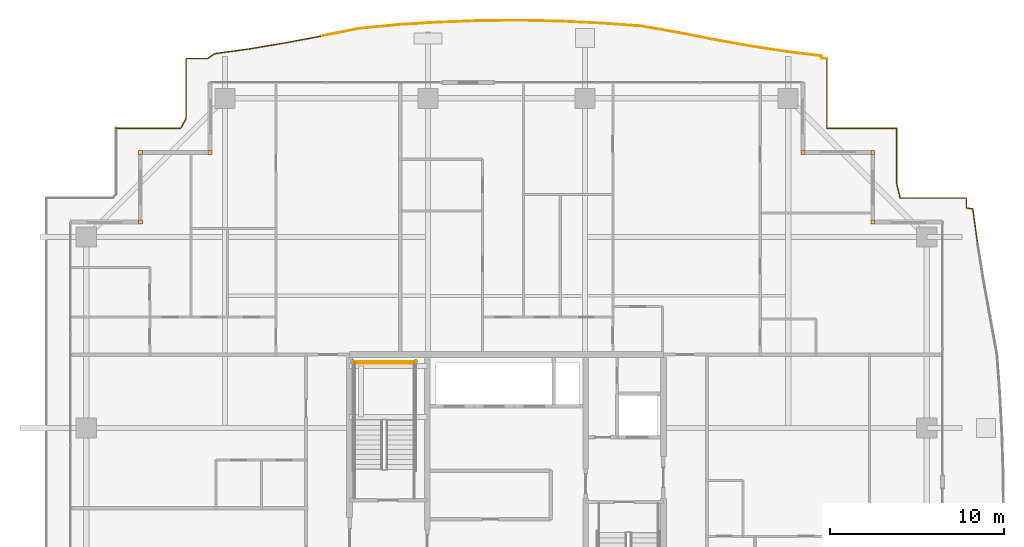
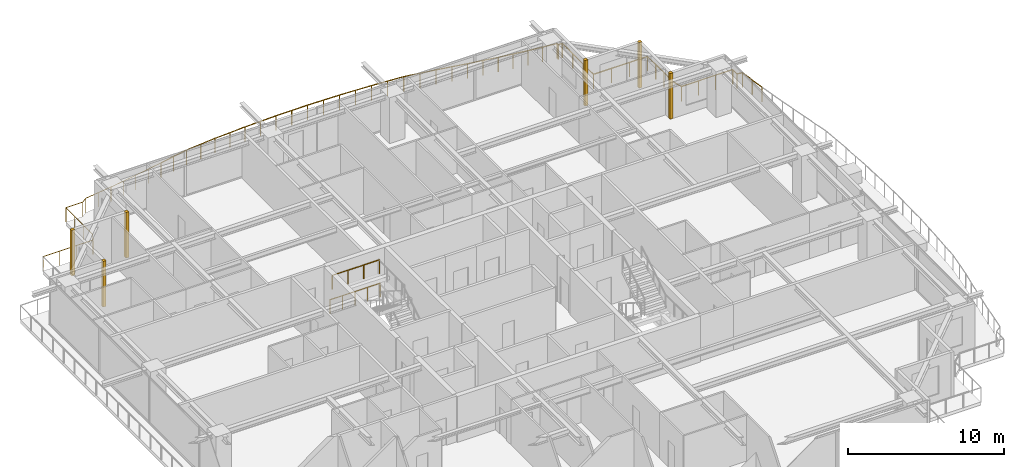
# One storey, part 37 of 37: 6 coverings, 6 railings.
"""IFC4 building model written with IfcOpenShell, lengths in metres."""

from ifc_helpers import new_model, si_unit, direction, frame, origin, origin_2d, place, context, subcontext, project, spatial, rectangle, circle, extrude, source, transform, mapped, material, layer, layer_set, type_object, element, save


model = new_model("IFC4")

# Units and contexts
model_context = context("Model", 3, precision=1e-05, world=origin(), true_north=direction((0.0, 1.0)))
body_context = subcontext(model_context, "Body", "Model", "MODEL_VIEW")
ifc_project = project(units=[si_unit("LENGTHUNIT", "METRE"), si_unit("AREAUNIT", "SQUARE_METRE"), si_unit("VOLUMEUNIT", "CUBIC_METRE"), si_unit("PLANEANGLEUNIT", "RADIAN"), si_unit("MASSUNIT", "GRAM", prefix="KILO")], contexts=[model_context])

# Site, building, storey
site_placement = place(None, origin())
site = spatial("IfcSite", under=ifc_project, at=site_placement, CompositionType="ELEMENT")
building_placement = place(site_placement, origin())
building = spatial("IfcBuilding", under=site, at=building_placement, Name="Serunith Strait Residences", CompositionType="ELEMENT")
storey_placement = place(building_placement, frame((0.0, 0.0, 248.949951171875)))
storey = spatial("IfcBuildingStorey", under=building, at=storey_placement, Name="L62", CompositionType="ELEMENT", Elevation=248.949951171875)

# Railings
ifc_material_1 = material(Name="Stainless Steel & Laminated Glass Balustrade", Category="steel")
railing_type_1 = type_object("IfcRailingType", Name="RLG-BALC-1150", PredefinedType="BALUSTRADE", material=ifc_material_1)
railing_1_placement = place(storey_placement, frame((10.02001953125, 46.580078125, -0.050048828125)))
element("IfcRailing", 1, at=railing_1_placement, inside=storey, type_object=railing_type_1, Name="L62 Swirling Balcony Perimeter Balustrade 1", PredefinedType="BALUSTRADE", context=body_context, shape_type="SweptSolid", body=[
    extrude(circle(Radius=0.02392578125, at=origin_2d()), frame((0.001953125, 0.0, 1.1259765625), z_axis=(1.0, 0.0, 0.0), x_axis=(0.0, 1.0, 0.0)), (0.0, 0.0, 1.0), 3.683837890625),
    extrude(circle(Radius=0.02392578125, at=origin_2d()), frame((3.688720703125, 0.001708984375, 1.1259765625), z_axis=(0.484067550927, 0.875030631543, 0.0), x_axis=(-0.875030631543, 0.484067550927, 0.0)), (0.0, 0.0, 1.0), 0.64111328125),
    extrude(circle(Radius=0.02392578125, at=origin_2d()), frame((4.0, 0.56640625, 1.1259765625), z_axis=(0.0, 1.0, 0.0), x_axis=(-1.0, 0.0, 0.0)), (0.0, 0.0, 1.0), 3.431640625),
    extrude(circle(Radius=0.02392578125, at=origin_2d()), frame((4.001953125, 4.0, 1.1259765625), z_axis=(1.0, 0.0, 0.0), x_axis=(0.0, 1.0, 0.0)), (0.0, 0.0, 1.0), 1.22705078125),
    extrude(circle(Radius=0.02392578125, at=origin_2d()), frame((5.232666015625, 4.001220703125, 1.1259765625), z_axis=(0.820782623705, 0.571240653861, 0.0), x_axis=(-0.571240653861, 0.820782623705, 0.0)), (0.0, 0.0, 1.0), 0.483154296875),
    extrude(circle(Radius=0.02392578125, at=origin_2d()), frame((5.6328125, 4.278564453125, 1.1259765625), z_axis=(0.990489558275, 0.137587917158, 0.0), x_axis=(-0.137587917158, 0.990489558275, 0.0)), (0.0, 0.0, 1.0), 2.038330078125),
    extrude(circle(Radius=0.02392578125, at=origin_2d()), frame((7.65576171875, 4.5595703125, 1.1259765625), z_axis=(0.986275736784, 0.165106544481, 0.0), x_axis=(-0.165106544481, 0.986275736784, 0.0)), (0.0, 0.0, 1.0), 2.066162109375),
    extrude(circle(Radius=0.02392578125, at=origin_2d()), frame((9.697509765625, 4.901611328125, 1.1259765625), z_axis=(0.982463573222, 0.186454625288, 0.0), x_axis=(-0.186454625288, 0.982463573222, 0.0)), (0.0, 0.0, 1.0), 2.112060546875),
    extrude(circle(Radius=0.02099609375, at=origin_2d()), origin(), (0.0, 0.0, 1.0), 1.099853515625),
    extrude(circle(Radius=0.02099609375, at=origin_2d()), frame((1.229248046875, 0.0, 0.0)), (0.0, 0.0, 1.0), 1.099853515625),
    extrude(circle(Radius=0.02099609375, at=origin_2d()), frame((2.45849609375, 0.0, 0.0)), (0.0, 0.0, 1.0), 1.099853515625),
    extrude(circle(Radius=0.02099609375, at=origin_2d()), frame((3.687744140625, 0.0, 0.0)), (0.0, 0.0, 1.0), 1.099853515625),
    extrude(circle(Radius=0.02099609375, at=origin_2d()), frame((4.0, 0.564453125, 0.0)), (0.0, 0.0, 1.0), 1.099853515625),
    extrude(circle(Radius=0.02099609375, at=origin_2d()), frame((4.0, 1.709716796875, 0.0)), (0.0, 0.0, 1.0), 1.099853515625),
    extrude(circle(Radius=0.02099609375, at=origin_2d()), frame((4.0, 2.854736328125, 0.0)), (0.0, 0.0, 1.0), 1.099853515625),
    extrude(circle(Radius=0.02099609375, at=origin_2d()), frame((4.0, 4.0, 0.0)), (0.0, 0.0, 1.0), 1.099853515625),
    extrude(circle(Radius=0.02099609375, at=origin_2d()), frame((5.23095703125, 4.0, 0.0)), (0.0, 0.0, 1.0), 1.099853515625),
    extrude(circle(Radius=0.02099609375, at=origin_2d()), frame((5.630859375, 4.2783203125, 0.0)), (0.0, 0.0, 1.0), 1.099853515625),
    extrude(circle(Radius=0.02099609375, at=origin_2d()), frame((6.642333984375, 4.4189453125, 0.0)), (0.0, 0.0, 1.0), 1.099853515625),
    extrude(circle(Radius=0.02099609375, at=origin_2d()), frame((7.65380859375, 4.559326171875, 0.0)), (0.0, 0.0, 1.0), 1.099853515625),
    extrude(circle(Radius=0.02099609375, at=origin_2d()), frame((8.6748046875, 4.730224609375, 0.0)), (0.0, 0.0, 1.0), 1.099853515625),
    extrude(circle(Radius=0.02099609375, at=origin_2d()), frame((9.695556640625, 4.901123046875, 0.0)), (0.0, 0.0, 1.0), 1.099853515625),
    extrude(circle(Radius=0.02099609375, at=origin_2d()), frame((10.73486328125, 5.098388671875, 0.0)), (0.0, 0.0, 1.0), 1.099853515625),
    extrude(circle(Radius=0.02099609375, at=origin_2d()), frame((11.7744140625, 5.295654296875, 0.0)), (0.0, 0.0, 1.0), 1.099853515625),
])
railing_2_placement = place(storey_placement, frame((21.79443359375, 51.875732421875, -0.050048828125)))
element("IfcRailing", 2, at=railing_2_placement, inside=storey, type_object=railing_type_1, Name="L62 Swirling Balcony Perimeter Balustrade 2", PredefinedType="BALUSTRADE", context=body_context, shape_type="SweptSolid", body=[
    extrude(circle(Radius=0.02392578125, at=origin_2d()), frame((0.001953125, 0.00048828125, 1.1259765625), z_axis=(0.980962385796, 0.19419783123, 0.0), x_axis=(-0.19419783123, 0.980962385796, 0.0)), (0.0, 0.0, 1.0), 2.1748046875),
    extrude(circle(Radius=0.02392578125, at=origin_2d()), frame((2.13916015625, 0.42333984375, 1.1259765625), z_axis=(0.995212714225, 0.097732560827, 0.0), x_axis=(-0.097732560827, 0.995212714225, 0.0)), (0.0, 0.0, 1.0), 2.26171875),
    extrude(circle(Radius=0.02392578125, at=origin_2d()), frame((4.39404296875, 0.644775390625, 1.1259765625), z_axis=(0.998123125616, 0.061239089725, 0.0), x_axis=(-0.061239089725, 0.998123125616, 0.0)), (0.0, 0.0, 1.0), 2.30419921875),
    extrude(circle(Radius=0.02392578125, at=origin_2d()), frame((6.697998046875, 0.785888671875, 1.1259765625), z_axis=(0.999332778171, 0.036523943825, 0.0), x_axis=(-0.036523943825, 0.999332778171, 0.0)), (0.0, 0.0, 1.0), 2.328857421875),
    extrude(circle(Radius=0.02392578125, at=origin_2d()), frame((9.029296875, 0.87109375, 1.1259765625), z_axis=(0.999964413611, 0.008436320956, 0.0), x_axis=(-0.008436320956, 0.999964413611, 0.0)), (0.0, 0.0, 1.0), 2.340087890625),
    extrude(circle(Radius=0.02392578125, at=origin_2d()), frame((11.373291015625, 0.890869140625, 1.1259765625), z_axis=(0.999784457582, -0.020761463744, 0.0), x_axis=(0.020761463744, 0.999784457582, 0.0)), (0.0, 0.0, 1.0), 2.336181640625),
    extrude(circle(Radius=0.02392578125, at=origin_2d()), frame((13.712890625, 0.84228515625, 1.1259765625), z_axis=(0.99884446049, -0.048059793477, 0.0), x_axis=(0.048059793477, 0.99884446049, 0.0)), (0.0, 0.0, 1.0), 2.317626953125),
    extrude(circle(Radius=0.02392578125, at=origin_2d()), frame((16.03173828125, 0.73046875, 1.1259765625), z_axis=(0.997471125178, -0.071072881155, 0.0), x_axis=(0.071072881155, 0.997471125178, 0.0)), (0.0, 0.0, 1.0), 2.287109375),
    extrude(circle(Radius=0.02099609375, at=origin_2d()), origin(), (0.0, 0.0, 1.0), 1.099853515625),
    extrude(circle(Radius=0.02099609375, at=origin_2d()), frame((1.068603515625, 0.21142578125, 0.0)), (0.0, 0.0, 1.0), 1.099853515625),
    extrude(circle(Radius=0.02099609375, at=origin_2d()), frame((2.13720703125, 0.423095703125, 0.0)), (0.0, 0.0, 1.0), 1.099853515625),
    extrude(circle(Radius=0.02099609375, at=origin_2d()), frame((3.2646484375, 0.53369140625, 0.0)), (0.0, 0.0, 1.0), 1.099853515625),
    extrude(circle(Radius=0.02099609375, at=origin_2d()), frame((4.39208984375, 0.64453125, 0.0)), (0.0, 0.0, 1.0), 1.099853515625),
    extrude(circle(Radius=0.02099609375, at=origin_2d()), frame((5.5439453125, 0.71533203125, 0.0)), (0.0, 0.0, 1.0), 1.099853515625),
    extrude(circle(Radius=0.02099609375, at=origin_2d()), frame((6.696044921875, 0.785888671875, 0.0)), (0.0, 0.0, 1.0), 1.099853515625),
    extrude(circle(Radius=0.02099609375, at=origin_2d()), frame((7.86181640625, 0.82861328125, 0.0)), (0.0, 0.0, 1.0), 1.099853515625),
    extrude(circle(Radius=0.02099609375, at=origin_2d()), frame((9.02734375, 0.87109375, 0.0)), (0.0, 0.0, 1.0), 1.099853515625),
    extrude(circle(Radius=0.02099609375, at=origin_2d()), frame((10.19921875, 0.880859375, 0.0)), (0.0, 0.0, 1.0), 1.099853515625),
    extrude(circle(Radius=0.02099609375, at=origin_2d()), frame((11.371337890625, 0.890869140625, 0.0)), (0.0, 0.0, 1.0), 1.099853515625),
    extrude(circle(Radius=0.02099609375, at=origin_2d()), frame((12.541015625, 0.86669921875, 0.0)), (0.0, 0.0, 1.0), 1.099853515625),
    extrude(circle(Radius=0.02099609375, at=origin_2d()), frame((13.7109375, 0.84228515625, 0.0)), (0.0, 0.0, 1.0), 1.099853515625),
    extrude(circle(Radius=0.02099609375, at=origin_2d()), frame((14.870361328125, 0.78662109375, 0.0)), (0.0, 0.0, 1.0), 1.099853515625),
    extrude(circle(Radius=0.02099609375, at=origin_2d()), frame((16.02978515625, 0.730712890625, 0.0)), (0.0, 0.0, 1.0), 1.099853515625),
    extrude(circle(Radius=0.02099609375, at=origin_2d()), frame((17.17236328125, 0.6494140625, 0.0)), (0.0, 0.0, 1.0), 1.099853515625),
    extrude(circle(Radius=0.02099609375, at=origin_2d()), frame((18.315185546875, 0.56787109375, 0.0)), (0.0, 0.0, 1.0), 1.099853515625),
])
railing_3_placement = place(storey_placement, frame((40.109619140625, 52.443603515625, -0.050048828125)))
element("IfcRailing", 3, at=railing_3_placement, inside=storey, type_object=railing_type_1, Name="L62 Swirling Balcony Perimeter Balustrade 3", PredefinedType="BALUSTRADE", context=body_context, shape_type="SweptSolid", body=[
    extrude(circle(Radius=0.02392578125, at=origin_2d()), frame((0.001953125, -0.000244140625, 1.1259765625), z_axis=(0.984885695933, -0.173205559805, 0.0), x_axis=(0.173205559805, 0.984885695933, 0.0)), (0.0, 0.0, 1.0), 2.2060546875),
    extrude(circle(Radius=0.02392578125, at=origin_2d()), frame((2.1787109375, -0.38330078125, 1.1259765625), z_axis=(0.981320089761, -0.192382123473, 0.0), x_axis=(0.192382123473, 0.981320089761, 0.0)), (0.0, 0.0, 1.0), 2.13427734375),
    extrude(circle(Radius=0.02392578125, at=origin_2d()), frame((4.277099609375, -0.79443359375, 1.1259765625), z_axis=(0.984371803586, -0.17610267546, 0.0), x_axis=(0.17610267546, 0.984371803586, 0.0)), (0.0, 0.0, 1.0), 2.0810546875),
    extrude(circle(Radius=0.02392578125, at=origin_2d()), frame((6.32958984375, -1.16162109375, 1.1259765625), z_axis=(0.988642696875, -0.150285122074, 0.0), x_axis=(0.150285122074, 0.988642696875, 0.0)), (0.0, 0.0, 1.0), 2.046142578125),
    extrude(circle(Radius=0.02392578125, at=origin_2d()), frame((8.3564453125, -1.4697265625, 1.1259765625), z_axis=(0.992536313229, -0.121949444126, 0.0), x_axis=(0.121949444126, 0.992536313229, 0.0)), (0.0, 0.0, 1.0), 2.028076171875),
    extrude(circle(Radius=0.02392578125, at=origin_2d()), frame((10.371337890625, -1.71923828125, 1.1259765625), z_axis=(-0.008346954621, -0.999965163567, 0.0), x_axis=(0.999965163567, -0.008346954621, 0.0)), (0.0, 0.0, 1.0), 0.142333984375),
    extrude(circle(Radius=0.02392578125, at=origin_2d()), frame((10.3720703125, -1.863525390625, 1.1259765625), z_axis=(1.0, 0.0, 0.0), x_axis=(0.0, 1.0, 0.0)), (0.0, 0.0, 1.0), 0.29638671875),
    extrude(circle(Radius=0.02099609375, at=origin_2d()), origin(), (0.0, 0.0, 1.0), 1.099853515625),
    extrude(circle(Radius=0.02099609375, at=origin_2d()), frame((1.08837890625, -0.19140625, 0.0)), (0.0, 0.0, 1.0), 1.099853515625),
    extrude(circle(Radius=0.02099609375, at=origin_2d()), frame((2.1767578125, -0.3828125, 0.0)), (0.0, 0.0, 1.0), 1.099853515625),
    extrude(circle(Radius=0.02099609375, at=origin_2d()), frame((3.22607421875, -0.58837890625, 0.0)), (0.0, 0.0, 1.0), 1.099853515625),
    extrude(circle(Radius=0.02099609375, at=origin_2d()), frame((4.275146484375, -0.794189453125, 0.0)), (0.0, 0.0, 1.0), 1.099853515625),
    extrude(circle(Radius=0.02099609375, at=origin_2d()), frame((5.30126953125, -0.977783203125, 0.0)), (0.0, 0.0, 1.0), 1.099853515625),
    extrude(circle(Radius=0.02099609375, at=origin_2d()), frame((6.32763671875, -1.161376953125, 0.0)), (0.0, 0.0, 1.0), 1.099853515625),
    extrude(circle(Radius=0.02099609375, at=origin_2d()), frame((7.341064453125, -1.3154296875, 0.0)), (0.0, 0.0, 1.0), 1.099853515625),
    extrude(circle(Radius=0.02099609375, at=origin_2d()), frame((8.3544921875, -1.469482421875, 0.0)), (0.0, 0.0, 1.0), 1.099853515625),
    extrude(circle(Radius=0.02099609375, at=origin_2d()), frame((9.36279296875, -1.59326171875, 0.0)), (0.0, 0.0, 1.0), 1.099853515625),
    extrude(circle(Radius=0.02099609375, at=origin_2d()), frame((10.371337890625, -1.71728515625, 0.0)), (0.0, 0.0, 1.0), 1.099853515625),
    extrude(circle(Radius=0.02099609375, at=origin_2d()), frame((10.3701171875, -1.863525390625, 0.0)), (0.0, 0.0, 1.0), 1.099853515625),
    extrude(circle(Radius=0.02099609375, at=origin_2d()), frame((10.67041015625, -1.863525390625, 0.0)), (0.0, 0.0, 1.0), 1.099853515625),
])
railing_4_placement = place(storey_placement, frame((50.780029296875, 50.580078125, -0.050048828125)))
element("IfcRailing", 4, at=railing_4_placement, inside=storey, type_object=railing_type_1, Name="L62 Swirling Balcony Perimeter Balustrade 4", PredefinedType="BALUSTRADE", context=body_context, shape_type="SweptSolid", body=[
    extrude(circle(Radius=0.02392578125, at=origin_2d()), frame((0.0, -0.001953125, 1.1259765625), z_axis=(0.0, -1.0, 0.0), x_axis=(1.0, 0.0, 0.0)), (0.0, 0.0, 1.0), 3.99609375),
    extrude(circle(Radius=0.02392578125, at=origin_2d()), frame((0.001953125, -4.0, 1.1259765625), z_axis=(1.0, 0.0, 0.0), x_axis=(0.0, 1.0, 0.0)), (0.0, 0.0, 1.0), 3.99609375),
    extrude(circle(Radius=0.02392578125, at=origin_2d()), frame((4.0, -4.001953125, 1.1259765625), z_axis=(0.0, -1.0, 0.0), x_axis=(1.0, 0.0, 0.0)), (0.0, 0.0, 1.0), 3.1748046875),
    extrude(circle(Radius=0.02392578125, at=origin_2d()), frame((4.00048828125, -7.1806640625, 1.1259765625), z_axis=(0.236005121794, -0.971751811157, 0.0), x_axis=(0.971751811157, 0.236005121794, 0.0)), (0.0, 0.0, 1.0), 0.841064453125),
    extrude(circle(Radius=0.02392578125, at=origin_2d()), frame((4.201416015625, -8.0, 1.1259765625), z_axis=(1.0, 0.0, 0.0), x_axis=(0.0, 1.0, 0.0)), (0.0, 0.0, 1.0), 3.796630859375),
    extrude(circle(Radius=0.02392578125, at=origin_2d()), frame((8.0, -8.001953125, 1.1259765625), z_axis=(0.0, -1.0, 0.0), x_axis=(1.0, 0.0, 0.0)), (0.0, 0.0, 1.0), 0.5576171875),
    extrude(circle(Radius=0.02392578125, at=origin_2d()), frame((8.001953125, -8.561767578125, 1.1259765625), z_axis=(0.985957205295, -0.166998171629, 0.0), x_axis=(0.166998171629, 0.985957205295, 0.0)), (0.0, 0.0, 1.0), 0.361572265625),
    extrude(circle(Radius=0.02392578125, at=origin_2d()), frame((8.360595703125, -8.62451171875, 1.1259765625), z_axis=(0.137435301298, -0.990510746008, 0.0), x_axis=(0.990510746008, 0.137435301298, 0.0)), (0.0, 0.0, 1.0), 2.0458984375),
    extrude(circle(Radius=0.02099609375, at=origin_2d()), origin(), (0.0, 0.0, 1.0), 1.099853515625),
    extrude(circle(Radius=0.02099609375, at=origin_2d()), frame((0.0, -1.333251953125, 0.0)), (0.0, 0.0, 1.0), 1.099853515625),
    extrude(circle(Radius=0.02099609375, at=origin_2d()), frame((0.0, -2.666748046875, 0.0)), (0.0, 0.0, 1.0), 1.099853515625),
    extrude(circle(Radius=0.02099609375, at=origin_2d()), frame((0.0, -4.0, 0.0)), (0.0, 0.0, 1.0), 1.099853515625),
    extrude(circle(Radius=0.02099609375, at=origin_2d()), frame((1.333251953125, -4.0, 0.0)), (0.0, 0.0, 1.0), 1.099853515625),
    extrude(circle(Radius=0.02099609375, at=origin_2d()), frame((2.666748046875, -4.0, 0.0)), (0.0, 0.0, 1.0), 1.099853515625),
    extrude(circle(Radius=0.02099609375, at=origin_2d()), frame((4.0, -4.0, 0.0)), (0.0, 0.0, 1.0), 1.099853515625),
    extrude(circle(Radius=0.02099609375, at=origin_2d()), frame((4.0, -5.0595703125, 0.0)), (0.0, 0.0, 1.0), 1.099853515625),
    extrude(circle(Radius=0.02099609375, at=origin_2d()), frame((4.0, -6.119140625, 0.0)), (0.0, 0.0, 1.0), 1.099853515625),
    extrude(circle(Radius=0.02099609375, at=origin_2d()), frame((4.0, -7.1787109375, 0.0)), (0.0, 0.0, 1.0), 1.099853515625),
    extrude(circle(Radius=0.02099609375, at=origin_2d()), frame((4.199462890625, -8.0, 0.0)), (0.0, 0.0, 1.0), 1.099853515625),
    extrude(circle(Radius=0.02099609375, at=origin_2d()), frame((5.46630859375, -8.0, 0.0)), (0.0, 0.0, 1.0), 1.099853515625),
    extrude(circle(Radius=0.02099609375, at=origin_2d()), frame((6.733154296875, -8.0, 0.0)), (0.0, 0.0, 1.0), 1.099853515625),
    extrude(circle(Radius=0.02099609375, at=origin_2d()), frame((8.0, -8.0, 0.0)), (0.0, 0.0, 1.0), 1.099853515625),
    extrude(circle(Radius=0.02099609375, at=origin_2d()), frame((8.0, -8.5615234375, 0.0)), (0.0, 0.0, 1.0), 1.099853515625),
    extrude(circle(Radius=0.02099609375, at=origin_2d()), frame((8.3603515625, -8.62255859375, 0.0)), (0.0, 0.0, 1.0), 1.099853515625),
    extrude(circle(Radius=0.02099609375, at=origin_2d()), frame((8.501220703125, -9.6376953125, 0.0)), (0.0, 0.0, 1.0), 1.099853515625),
    extrude(circle(Radius=0.02099609375, at=origin_2d()), frame((8.64208984375, -10.653076171875, 0.0)), (0.0, 0.0, 1.0), 1.099853515625),
])
ifc_material_2 = material(Name="Brushed stainless steel 316L", Category="steel")
railing_type_2 = type_object("IfcRailingType", Name="RLG-STAIR-GUARD", PredefinedType="BALUSTRADE", material=ifc_material_2)
railing_5_placement = place(storey_placement, frame((27.14990234375, 33.10009765625, 1.925048828125)))
element("IfcRailing", 5, at=railing_5_placement, inside=storey, type_object=railing_type_2, Name="L62 ST-1 stair guard 5", PredefinedType="BALUSTRADE", context=body_context, shape_type="SweptSolid", body=[
    extrude(circle(Radius=0.02392578125, at=origin_2d()), frame((-0.001953125, 0.0, 1.076171875), z_axis=(-1.0, 0.0, 0.0), x_axis=(0.0, -1.0, 0.0)), (0.0, 0.0, 1.0), 3.49609375),
    extrude(circle(Radius=0.02099609375, at=origin_2d()), origin(), (0.0, 0.0, 1.0), 1.050048828125),
    extrude(circle(Radius=0.02099609375, at=origin_2d()), frame((-1.166748046875, 0.0, 0.0)), (0.0, 0.0, 1.0), 1.050048828125),
    extrude(circle(Radius=0.02099609375, at=origin_2d()), frame((-2.333251953125, 0.0, 0.0)), (0.0, 0.0, 1.0), 1.050048828125),
    extrude(circle(Radius=0.02099609375, at=origin_2d()), frame((-3.5, 0.0, 0.0)), (0.0, 0.0, 1.0), 1.050048828125),
])
railing_6_placement = place(storey_placement, frame((27.25, 33.199951171875, 0.0)))
element("IfcRailing", 6, at=railing_6_placement, inside=storey, type_object=railing_type_2, Name="L62 ST-1 stair guard 12", PredefinedType="BALUSTRADE", context=body_context, shape_type="SweptSolid", body=[
    extrude(circle(Radius=0.02392578125, at=origin_2d()), frame((-0.001953125, 0.0, 1.076171875), z_axis=(-1.0, 0.0, 0.0), x_axis=(0.0, -1.0, 0.0)), (0.0, 0.0, 1.0), 3.696044921875),
    extrude(circle(Radius=0.02099609375, at=origin_2d()), origin(), (0.0, 0.0, 1.0), 1.050048828125),
    extrude(circle(Radius=0.02099609375, at=origin_2d()), frame((-0.925048828125, 0.0, 0.0)), (0.0, 0.0, 1.0), 1.050048828125),
    extrude(circle(Radius=0.02099609375, at=origin_2d()), frame((-1.85009765625, 0.0, 0.0)), (0.0, 0.0, 1.0), 1.050048828125),
    extrude(circle(Radius=0.02099609375, at=origin_2d()), frame((-2.77490234375, 0.0, 0.0)), (0.0, 0.0, 1.0), 1.050048828125),
    extrude(circle(Radius=0.02099609375, at=origin_2d()), frame((-3.699951171875, 0.0, 0.0)), (0.0, 0.0, 1.0), 1.050048828125),
])

# Coverings
ifc_material_3 = material(Name="Pale-Champagne Anodised Aluminium", Category="aluminium")
ifc_layer = layer(ifc_material_3, 0.219970703125, Name="Pale-Champagne Anodised Aluminium")
ifc_layer_set = layer_set([ifc_layer], Name="Pale-Champagne Anodised Aluminium")
covering_type = type_object("IfcCoveringType", Name="COV-CORN-TRIM", PredefinedType="CLADDING", material=ifc_layer_set)
shared_shape = source(origin(), body_context, "Body", "SweptSolid", [
    extrude(rectangle(XDim=0.221923828125, YDim=0.221923828125, at=origin_2d()), origin(), (0.0, 0.0, 1.0), 3.574951171875),
])
for number, where, z_axis, x_axis, name in (
    (7, (53.39990234375, 41.199951171875, 0.0), (0.0, 0.0, 1.0), (1.0, 0.0, 0.0), "L62 Girih Serrated Corner Trim Post 07"),
    (8, (53.39990234375, 45.199951171875, 0.0), (0.0, 0.0, 1.0), (1.0, 0.0, 0.0), "L62 Girih Serrated Corner Trim Post 08"),
    (9, (49.39990234375, 45.199951171875, 0.0), (0.0, 0.0, 1.0), (1.0, 0.0, 0.0), "L62 Girih Serrated Corner Trim Post 09"),
    (10, (15.39990234375, 45.199951171875, 0.0), (0.0, 0.0, 1.0), (1.0, 0.0, 0.0), "L62 Girih Serrated Corner Trim Post 12"),
    (11, (11.39990234375, 45.199951171875, 0.0), (0.0, 0.0, 1.0), (1.0, 0.0, 0.0), "L62 Girih Serrated Corner Trim Post 13"),
    (12, (11.39990234375, 41.199951171875, 0.0), (0.0, 0.0, 1.0), (1.0, 0.0, 0.0), "L62 Girih Serrated Corner Trim Post 14"),
):
    element("IfcCovering", number, at=place(storey_placement, frame(where, z_axis=z_axis, x_axis=x_axis)), inside=storey, type_object=covering_type, Name=name, PredefinedType="CLADDING", context=body_context, shape_type="MappedRepresentation", body=[
        mapped(shared_shape, transform((0.0, 0.0, 0.0), scale=1.0)),
    ])

save(model, "model.ifc")
